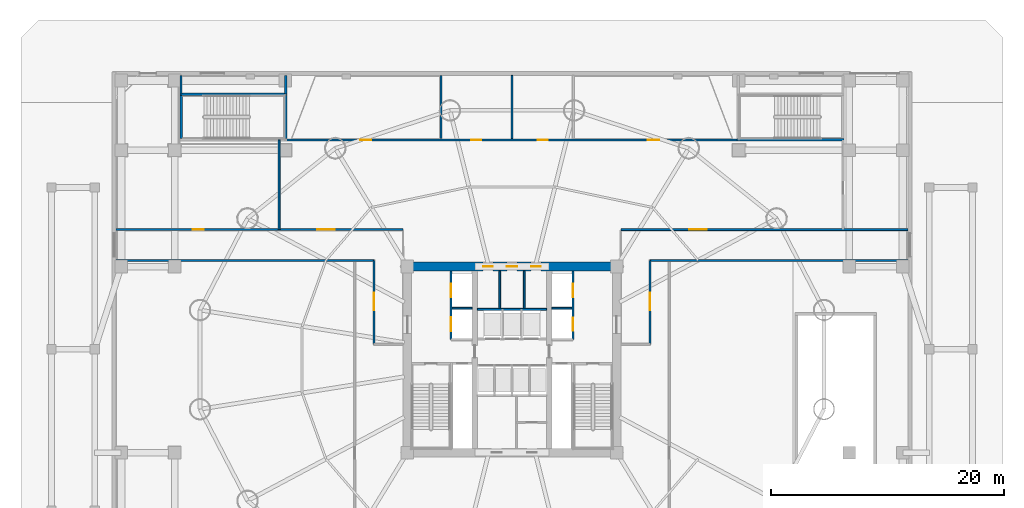
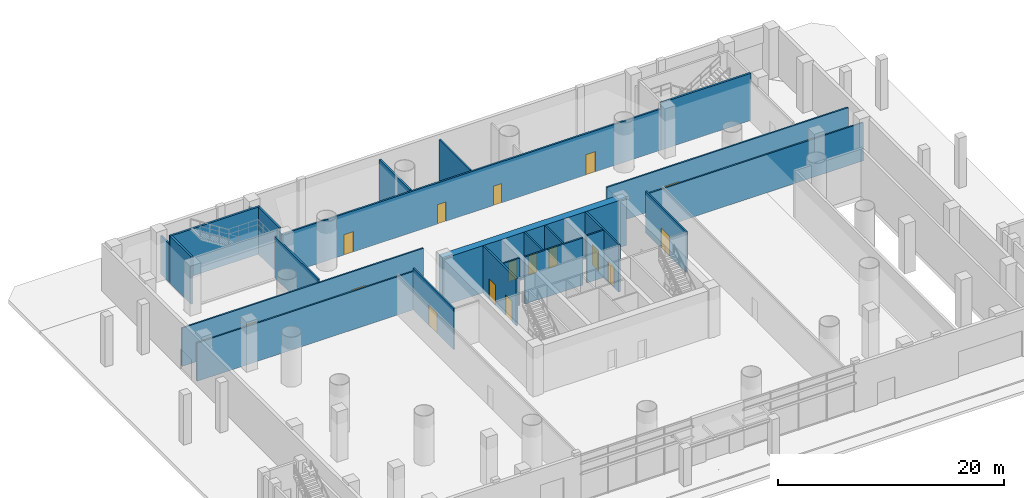
# One storey, part 11 of 25: 24 walls, 16 doors, 16 openings.
"""IFC4 building model written with IfcOpenShell, lengths in metres."""

from ifc_helpers import new_model, si_unit, direction, frame, frame_2d, origin, place, context, subcontext, project, spatial, rectangle, extrude, source, transform, mapped, material, layer, layer_set, type_object, element, fill, save


model = new_model("IFC4")

# Units and contexts
model_context = context("Model", 3, precision=1e-05, world=origin(), true_north=direction((-0.2419218956, 0.970295726276)))
body_context = subcontext(model_context, "Body", "Model", "MODEL_VIEW")
ifc_project = project(units=[si_unit("LENGTHUNIT", "METRE"), si_unit("AREAUNIT", "SQUARE_METRE"), si_unit("VOLUMEUNIT", "CUBIC_METRE"), si_unit("PLANEANGLEUNIT", "RADIAN"), si_unit("MASSUNIT", "GRAM", prefix="KILO")], contexts=[model_context])

# Site, building, storey
site_placement = place(None, origin())
site = spatial("IfcSite", under=ifc_project, at=site_placement, CompositionType="ELEMENT")
building_placement = place(site_placement, origin())
building = spatial("IfcBuilding", under=site, at=building_placement, Name="Cobrevalo Terracotta Tower", CompositionType="ELEMENT")
storey_placement = place(building_placement, origin())
storey = spatial("IfcBuildingStorey", under=building, at=storey_placement, Name="L00", CompositionType="ELEMENT", Elevation=0.0)

# Wall, openings, doors
ifc_material_1 = material(Name="Concrete C60", Category="concrete")
ifc_layer_1 = layer(ifc_material_1, 0.75)
ifc_layer_set_1 = layer_set([ifc_layer_1], Name="Concrete C60")
wall_type_1 = type_object("IfcWallType", Name="Core shear wall 750 mm Concrete C60", PredefinedType="SHEAR", material=ifc_layer_set_1)
wall_1_placement = place(storey_placement, frame((28.625, 34.800048828125, 0.0), z_axis=(0.0, 0.0, 1.0), x_axis=(1.0, 0.0, 0.0)))
wall_1 = element("IfcWall", 1, at=wall_1_placement, inside=storey, type_object=wall_type_1, Name="L00 north core shear wall", PredefinedType="SHEAR", context=body_context, shape_type="SweptSolid", body=[
    extrude(rectangle(XDim=18.75, YDim=0.75, at=frame_2d((9.375, 0.0))), origin(), (0.0, 0.0, 1.0), 5.10009765625),
])
opening_1_placement = place(wall_1_placement, frame((6.887451171875, 0.0, 0.0)))
opening_1 = element("IfcOpeningElement", 2, at=opening_1_placement, cuts=wall_1, Name="Opening ID-22", PredefinedType="OPENING", context=body_context, shape_type="SweptSolid", body=[
    extrude(rectangle(XDim=0.85009765625, YDim=2.10009765625, at=frame_2d((0.425048828125, 1.050048828125))), frame((0.0, 0.385009765625, 0.0), z_axis=(0.0, -1.0, 0.0), x_axis=(1.0, 0.0, 0.0)), (0.0, 0.0, 1.0), 0.77001953125),
])
opening_2_placement = place(wall_1_placement, frame((8.945068359375, 0.0, 0.0)))
opening_2 = element("IfcOpeningElement", 3, at=opening_2_placement, cuts=wall_1, Name="Opening ID-07", PredefinedType="OPENING", context=body_context, shape_type="SweptSolid", body=[
    extrude(rectangle(XDim=0.860107421875, YDim=2.10009765625, at=frame_2d((0.43017578125, 1.050048828125))), frame((0.0, 0.385009765625, 0.0), z_axis=(0.0, -1.0, 0.0), x_axis=(1.0, 0.0, 0.0)), (0.0, 0.0, 1.0), 0.77001953125),
])
opening_3_placement = place(wall_1_placement, frame((11.012451171875, 0.0, 0.0)))
opening_3 = element("IfcOpeningElement", 4, at=opening_3_placement, cuts=wall_1, Name="Opening ID-22", PredefinedType="OPENING", context=body_context, shape_type="SweptSolid", body=[
    extrude(rectangle(XDim=0.85009765625, YDim=2.10009765625, at=frame_2d((0.425048828125, 1.050048828125))), frame((0.0, 0.385009765625, 0.0), z_axis=(0.0, -1.0, 0.0), x_axis=(1.0, 0.0, 0.0)), (0.0, 0.0, 1.0), 0.77001953125),
])
ifc_material_2 = material(Name="Powder-coated steel", Category="steel")
door_type_1 = type_object("IfcDoorType", Name="Riser shaft & meter closet fire access door 850x2100 EI 60", OperationType="NOTDEFINED", PredefinedType="DOOR", material=ifc_material_2)
shared_shape_1 = source(origin(), body_context, "Body", "SweptSolid", [
    extrude(rectangle(XDim=0.85009765625, YDim=2.10009765625, at=frame_2d((0.425048828125, 1.050048828125))), frame((0.0, 0.02490234375, 0.0), z_axis=(0.0, -1.0, 0.0), x_axis=(1.0, 0.0, 0.0)), (0.0, 0.0, 1.0), 0.050048828125),
])
door_1_placement = place(opening_1_placement, frame((0.85009765625, 0.0, 0.0), z_axis=(0.0, 0.0, 1.0), x_axis=(-1.0, 0.0, 0.0)))
door_1 = element("IfcDoor", 5, at=door_1_placement, inside=storey, type_object=door_type_1, Name="L00 core north service door Housekeeping Linen Store", OperationType="SINGLE_SWING_LEFT", OverallHeight=2.10009765625, OverallWidth=0.85009765625, PredefinedType="DOOR", context=body_context, shape_type="MappedRepresentation", body=[
    mapped(shared_shape_1, transform((0.0, 0.0, 0.0), scale=1.0)),
])
fill(opening_1, door_1)
door_2_placement = place(opening_3_placement, frame((0.85009765625, 0.0, 0.0), z_axis=(0.0, 0.0, 1.0), x_axis=(-1.0, 0.0, 0.0)))
door_2 = element("IfcDoor", 6, at=door_2_placement, inside=storey, type_object=door_type_1, Name="L00 core north service door Floor BMS Mechanical Plant", OperationType="SINGLE_SWING_LEFT", OverallHeight=2.10009765625, OverallWidth=0.85009765625, PredefinedType="DOOR", context=body_context, shape_type="MappedRepresentation", body=[
    mapped(shared_shape_1, transform((0.0, 0.0, 0.0), scale=1.0)),
])
fill(opening_3, door_2)
ifc_material_3 = material(Name="Fire-rated moisture-sealed timber", Category="wood")
door_type_2 = type_object("IfcDoorType", Name="Core & podium fire-rated accessible WC door 860x2100 EI 60", OperationType="NOTDEFINED", PredefinedType="DOOR", material=ifc_material_3)
shared_shape_2 = source(origin(), body_context, "Body", "SweptSolid", [
    extrude(rectangle(XDim=0.860107421875, YDim=2.10009765625, at=frame_2d((0.43017578125, 1.050048828125))), frame((0.0, 0.02490234375, 0.0), z_axis=(0.0, -1.0, 0.0), x_axis=(1.0, 0.0, 0.0)), (0.0, 0.0, 1.0), 0.050048828125),
])
door_3_placement = place(opening_2_placement, frame((0.860107421875, 0.0, 0.0), z_axis=(0.0, 0.0, 1.0), x_axis=(-1.0, 0.0, 0.0)))
door_3 = element("IfcDoor", 7, at=door_3_placement, inside=storey, type_object=door_type_2, Name="L00 core north service door Floor Service Toilet WC", OperationType="SINGLE_SWING_RIGHT", OverallHeight=2.10009765625, OverallWidth=0.860107421875, PredefinedType="DOOR", context=body_context, shape_type="MappedRepresentation", body=[
    mapped(shared_shape_2, transform((0.0, 0.0, 0.0), scale=1.0)),
])
fill(opening_2, door_3)

# Walls
ifc_material_4 = material(Name="Gypsum board on steel stud", Category="steel")
ifc_layer_2 = layer(ifc_material_4, 0.159912109375)
ifc_layer_set_2 = layer_set([ifc_layer_2], Name="Gypsum board on steel stud")
wall_type_2 = type_object("IfcWallType", Name="Fire-rated corridor acoustic partition wall 160 mm", PredefinedType="PARTITIONING", material=ifc_layer_set_2)
for number, where, z_axis, x_axis, name in (
    (8, (32.860107421875, 31.219970703125, 0.0), (0.0, 0.0, 1.0), (1.0, 0.0, 0.0), "L00 interior partition IW-L00-FF1-M"),
    (9, (41.425048828125, 31.219970703125, 0.0), (0.0, 0.0, 1.0), (1.0, 0.0, 0.0), "L00 interior partition IW-L00-FF2-M"),
):
    element("IfcWall", number, at=place(storey_placement, frame(where, z_axis=z_axis, x_axis=x_axis)), inside=storey, type_object=wall_type_2, Name=name, PredefinedType="PARTITIONING", context=body_context, shape_type="SweptSolid", body=[
        extrude(rectangle(XDim=1.71484375, YDim=0.159912109375, at=frame_2d((0.857421875, 0.0))), origin(), (0.0, 0.0, 1.0), 5.10009765625),
    ])
wall_2_placement = place(storey_placement, frame((35.02490234375, 31.1201171875, 0.0), z_axis=(0.0, 0.0, 1.0), x_axis=(1.0, 0.0, 0.0)))
element("IfcWall", 10, at=wall_2_placement, inside=storey, type_object=wall_type_2, Name="L00 interior partition IW-L00-LB-N", PredefinedType="PARTITIONING", context=body_context, shape_type="SweptSolid", body=[
    extrude(rectangle(XDim=5.9501953125, YDim=0.159912109375, at=frame_2d((2.97509765625, 0.0))), origin(), (0.0, 0.0, 1.0), 5.10009765625),
])
wall_3_placement = place(storey_placement, frame((3.9599609375, 35.320068359375, 0.0), z_axis=(0.0, 0.0, 1.0), x_axis=(1.0, 0.0, 0.0)))
element("IfcWall", 11, at=wall_3_placement, inside=storey, type_object=wall_type_2, Name="L00 interior partition IW-L00-EPW-S", PredefinedType="PARTITIONING", context=body_context, shape_type="SweptSolid", body=[
    extrude(rectangle(XDim=22.16015625, YDim=0.159912109375, at=frame_2d((11.080078125, 0.0))), origin(), (0.0, 0.0, 1.0), 4.135009765625),
])

# Wall, opening, door
wall_4_placement = place(storey_placement, frame((26.1201171875, 28.1201171875, 0.0), z_axis=(0.0, 0.0, 1.0), x_axis=(0.0, 1.0, 0.0)))
wall_4 = element("IfcWall", 12, at=wall_4_placement, inside=storey, type_object=wall_type_2, Name="L00 interior partition IW-L00-EPW-W", PredefinedType="PARTITIONING", context=body_context, shape_type="SweptSolid", body=[
    extrude(rectangle(XDim=7.199951171875, YDim=0.159912109375, at=frame_2d((3.60009765625, 0.0))), origin(), (0.0, 0.0, 1.0), 4.449951171875),
])
opening_4_placement = place(wall_4_placement, frame((2.929931640625, 0.0, 0.0)))
opening_4 = element("IfcOpeningElement", 13, at=opening_4_placement, cuts=wall_4, Name="Opening ID-14", PredefinedType="OPENING", context=body_context, shape_type="SweptSolid", body=[
    extrude(rectangle(XDim=1.5, YDim=2.199951171875, at=frame_2d((0.75, 1.10009765625))), frame((0.0, 0.08984375, 0.0), z_axis=(0.0, -1.0, 0.0), x_axis=(1.0, 0.0, 0.0)), (0.0, 0.0, 1.0), 0.179931640625),
])
ifc_material_5 = material(Name="Galvanized fire-rated steel", Category="steel")
door_type_3 = type_object("IfcDoorType", Name="Core cross-lobby double fire door 1500x2200 EI 90", OperationType="NOTDEFINED", PredefinedType="DOOR", material=ifc_material_5)
shared_shape_3 = source(origin(), body_context, "Body", "SweptSolid", [
    extrude(rectangle(XDim=1.5, YDim=2.199951171875, at=frame_2d((0.75, 1.10009765625))), frame((0.0, 0.02490234375, 0.0), z_axis=(0.0, -1.0, 0.0), x_axis=(1.0, 0.0, 0.0)), (0.0, 0.0, 1.0), 0.050048828125),
])
door_4_placement = place(opening_4_placement, frame((1.5, 0.0, 0.0), z_axis=(0.0, 0.0, 1.0), x_axis=(-1.0, 0.0, 0.0)))
door_4 = element("IfcDoor", 14, at=door_4_placement, inside=storey, type_object=door_type_3, Name="L00 west protected exit passage concourse fire door", OperationType="DOUBLE_DOOR_SINGLE_SWING", OverallHeight=2.199951171875, OverallWidth=1.5, PredefinedType="DOOR", context=body_context, shape_type="MappedRepresentation", body=[
    mapped(shared_shape_3, transform((0.0, 0.0, 0.0), scale=1.0)),
])
fill(opening_4, door_4)

# Wall, openings, doors
wall_5_placement = place(storey_placement, frame((3.9599609375, 37.97998046875, 0.0), z_axis=(0.0, 0.0, 1.0), x_axis=(1.0, 0.0, 0.0)))
wall_5 = element("IfcWall", 15, at=wall_5_placement, inside=storey, type_object=wall_type_2, Name="L00 interior partition IW-L00-EPW-N", PredefinedType="PARTITIONING", context=body_context, shape_type="SweptSolid", body=[
    extrude(rectangle(XDim=24.6650390625, YDim=0.159912109375, at=frame_2d((12.33251953125, 0.0))), origin(), (0.0, 0.0, 1.0), 4.135009765625),
])
opening_5_placement = place(wall_5_placement, frame((17.2900390625, 0.0, 0.0)))
opening_5 = element("IfcOpeningElement", 16, at=opening_5_placement, cuts=wall_5, Name="Opening ID-14", PredefinedType="OPENING", context=body_context, shape_type="SweptSolid", body=[
    extrude(rectangle(XDim=1.5, YDim=2.199951171875, at=frame_2d((0.75, 1.10009765625))), frame((0.0, 0.08984375, 0.0), z_axis=(0.0, -1.0, 0.0), x_axis=(1.0, 0.0, 0.0)), (0.0, 0.0, 1.0), 0.179931640625),
])
opening_6_placement = place(wall_5_placement, frame((6.57373046875, 0.0, 0.0)))
opening_6 = element("IfcOpeningElement", 17, at=opening_6_placement, cuts=wall_5, Name="Opening ID-05", PredefinedType="OPENING", context=body_context, shape_type="SweptSolid", body=[
    extrude(rectangle(XDim=0.97998046875, YDim=2.199951171875, at=frame_2d((0.489990234375, 1.10009765625))), frame((0.0, 0.08984375, 0.0), z_axis=(0.0, -1.0, 0.0), x_axis=(1.0, 0.0, 0.0)), (0.0, 0.0, 1.0), 0.179931640625),
])
door_5_placement = place(opening_5_placement, origin())
door_5 = element("IfcDoor", 18, at=door_5_placement, inside=storey, type_object=door_type_3, Name="L00 north concourse west exit passage fire door", OperationType="DOUBLE_DOOR_SINGLE_SWING", OverallHeight=2.199951171875, OverallWidth=1.5, PredefinedType="DOOR", context=body_context, shape_type="MappedRepresentation", body=[
    mapped(shared_shape_3, transform((0.0, 0.0, 0.0), scale=1.0)),
])
fill(opening_5, door_5)
ifc_material_6 = material(Name="Solid hardwood timber", Category="wood")
door_type_4 = type_object("IfcDoorType", Name="Residence entrance fire-rated acoustic timber door 980x2200 EI 60", OperationType="NOTDEFINED", PredefinedType="DOOR", material=ifc_material_6)
shared_shape_4 = source(origin(), body_context, "Body", "SweptSolid", [
    extrude(rectangle(XDim=0.97998046875, YDim=2.199951171875, at=frame_2d((0.489990234375, 1.10009765625))), frame((0.0, 0.02490234375, 0.0), z_axis=(0.0, -1.0, 0.0), x_axis=(1.0, 0.0, 0.0)), (0.0, 0.0, 1.0), 0.050048828125),
])
door_6_placement = place(opening_6_placement, frame((0.97998046875, 0.0, 0.0), z_axis=(0.0, 0.0, 1.0), x_axis=(-1.0, 0.0, 0.0)))
door_6 = element("IfcDoor", 19, at=door_6_placement, inside=storey, type_object=door_type_4, Name="North-West Florist Salon door", OperationType="SINGLE_SWING_LEFT", OverallHeight=2.199951171875, OverallWidth=0.97998046875, PredefinedType="DOOR", context=body_context, shape_type="MappedRepresentation", body=[
    mapped(shared_shape_4, transform((0.0, 0.0, 0.0), scale=1.0)),
])
fill(opening_6, door_6)

# Wall
wall_6_placement = place(storey_placement, frame((49.8798828125, 35.320068359375, 0.0), z_axis=(0.0, 0.0, 1.0), x_axis=(1.0, 0.0, 0.0)))
element("IfcWall", 20, at=wall_6_placement, inside=storey, type_object=wall_type_2, Name="L00 interior partition IW-L00-EPE-S", PredefinedType="PARTITIONING", context=body_context, shape_type="SweptSolid", body=[
    extrude(rectangle(XDim=22.16015625, YDim=0.159912109375, at=frame_2d((11.080078125, 0.0))), origin(), (0.0, 0.0, 1.0), 4.135009765625),
])

# Wall, opening, door
wall_7_placement = place(storey_placement, frame((49.8798828125, 28.1201171875, 0.0), z_axis=(0.0, 0.0, 1.0), x_axis=(0.0, 1.0, 0.0)))
wall_7 = element("IfcWall", 21, at=wall_7_placement, inside=storey, type_object=wall_type_2, Name="L00 interior partition IW-L00-EPE-E", PredefinedType="PARTITIONING", context=body_context, shape_type="SweptSolid", body=[
    extrude(rectangle(XDim=7.199951171875, YDim=0.159912109375, at=frame_2d((3.60009765625, 0.0))), origin(), (0.0, 0.0, 1.0), 4.449951171875),
])
opening_7_placement = place(wall_7_placement, frame((2.929931640625, 0.0, 0.0)))
opening_7 = element("IfcOpeningElement", 22, at=opening_7_placement, cuts=wall_7, Name="Opening ID-14", PredefinedType="OPENING", context=body_context, shape_type="SweptSolid", body=[
    extrude(rectangle(XDim=1.5, YDim=2.199951171875, at=frame_2d((0.75, 1.10009765625))), frame((0.0, 0.08984375, 0.0), z_axis=(0.0, -1.0, 0.0), x_axis=(1.0, 0.0, 0.0)), (0.0, 0.0, 1.0), 0.179931640625),
])
door_7_placement = place(opening_7_placement, origin())
door_7 = element("IfcDoor", 23, at=door_7_placement, inside=storey, type_object=door_type_3, Name="L00 east protected exit passage concourse fire door", OperationType="DOUBLE_DOOR_SINGLE_SWING", OverallHeight=2.199951171875, OverallWidth=1.5, PredefinedType="DOOR", context=body_context, shape_type="MappedRepresentation", body=[
    mapped(shared_shape_3, transform((0.0, 0.0, 0.0), scale=1.0)),
])
fill(opening_7, door_7)

wall_8_placement = place(storey_placement, frame((47.375, 37.97998046875, 0.0), z_axis=(0.0, 0.0, 1.0), x_axis=(1.0, 0.0, 0.0)))
wall_8 = element("IfcWall", 24, at=wall_8_placement, inside=storey, type_object=wall_type_2, Name="L00 interior partition IW-L00-EPE-N", PredefinedType="PARTITIONING", context=body_context, shape_type="SweptSolid", body=[
    extrude(rectangle(XDim=24.6650390625, YDim=0.159912109375, at=frame_2d((12.33251953125, 0.0))), origin(), (0.0, 0.0, 1.0), 4.135009765625),
])
opening_8_placement = place(wall_8_placement, frame((5.875, 0.0, 0.0)))
opening_8 = element("IfcOpeningElement", 25, at=opening_8_placement, cuts=wall_8, Name="Opening ID-14", PredefinedType="OPENING", context=body_context, shape_type="SweptSolid", body=[
    extrude(rectangle(XDim=1.5, YDim=2.199951171875, at=frame_2d((0.75, 1.10009765625))), frame((0.0, 0.08984375, 0.0), z_axis=(0.0, -1.0, 0.0), x_axis=(1.0, 0.0, 0.0)), (0.0, 0.0, 1.0), 0.179931640625),
])
door_8_placement = place(opening_8_placement, origin())
door_8 = element("IfcDoor", 26, at=door_8_placement, inside=storey, type_object=door_type_3, Name="L00 north concourse east exit passage fire door", OperationType="DOUBLE_DOOR_SINGLE_SWING", OverallHeight=2.199951171875, OverallWidth=1.5, PredefinedType="DOOR", context=body_context, shape_type="MappedRepresentation", body=[
    mapped(shared_shape_3, transform((0.0, 0.0, 0.0), scale=1.0)),
])
fill(opening_8, door_8)

# Walls
wall_9_placement = place(storey_placement, frame((38.0, 45.7919921875, 0.0), z_axis=(0.0, 0.0, 1.0), x_axis=(0.0, 1.0, 0.0)))
element("IfcWall", 27, at=wall_9_placement, inside=storey, type_object=wall_type_2, Name="L00 interior partition IW-L00-WC-M", PredefinedType="PARTITIONING", context=body_context, shape_type="SweptSolid", body=[
    extrude(rectangle(XDim=5.447998046875, YDim=0.159912109375, at=frame_2d((2.72412109375, 0.0))), origin(), (0.0, 0.0, 1.0), 4.5419921875),
])
wall_10_placement = place(storey_placement, frame((17.97998046875, 37.97998046875, 0.0), z_axis=(0.0, 0.0, 1.0), x_axis=(0.0, 1.0, 0.0)))
element("IfcWall", 28, at=wall_10_placement, inside=storey, type_object=wall_type_2, Name="L00 interior partition IW-L00-RNW-E", PredefinedType="PARTITIONING", context=body_context, shape_type="SweptSolid", body=[
    extrude(rectangle(XDim=7.719970703125, YDim=0.159912109375, at=frame_2d((3.85986328125, 0.0))), origin(), (0.0, 0.0, 1.0), 4.468994140625),
])

# Wall, openings, doors
ifc_layer_3 = layer(ifc_material_4, 0.179931640625)
ifc_layer_set_3 = layer_set([ifc_layer_3], Name="Gypsum board on steel stud")
wall_type_3 = type_object("IfcWallType", Name="Fire-rated shaft & lobby acoustic partition wall 180 mm", PredefinedType="PARTITIONING", material=ifc_layer_set_3)
wall_11_placement = place(storey_placement, frame((32.77001953125, 28.52001953125, 0.0), z_axis=(0.0, 0.0, 1.0), x_axis=(0.0, 1.0, 0.0)))
wall_11 = element("IfcWall", 29, at=wall_11_placement, inside=storey, type_object=wall_type_3, Name="L00 interior partition IW-L00-FF1-W", PredefinedType="PARTITIONING", context=body_context, shape_type="SweptSolid", body=[
    extrude(rectangle(XDim=5.905029296875, YDim=0.179931640625, at=frame_2d((2.95263671875, 0.0))), origin(), (0.0, 0.0, 1.0), 5.10009765625),
])
opening_9_placement = place(wall_11_placement, frame((3.655029296875, 0.0, 0.0)))
opening_9 = element("IfcOpeningElement", 30, at=opening_9_placement, cuts=wall_11, Name="Opening LD-02", PredefinedType="OPENING", context=body_context, shape_type="SweptSolid", body=[
    extrude(rectangle(XDim=1.14990234375, YDim=2.199951171875, at=frame_2d((0.574951171875, 1.10009765625))), frame((0.0, 0.10009765625, 0.0), z_axis=(0.0, -1.0, 0.0), x_axis=(1.0, 0.0, 0.0)), (0.0, 0.0, 1.0), 0.199951171875),
])
opening_10_placement = place(wall_11_placement, frame((0.72998046875, 0.0, 0.0)))
opening_10 = element("IfcOpeningElement", 31, at=opening_10_placement, cuts=wall_11, Name="Opening LD-03", PredefinedType="OPENING", context=body_context, shape_type="SweptSolid", body=[
    extrude(rectangle(XDim=1.199951171875, YDim=2.25, at=frame_2d((0.60009765625, 1.125))), frame((0.0, 0.10009765625, 0.0), z_axis=(0.0, -1.0, 0.0), x_axis=(1.0, 0.0, 0.0)), (0.0, 0.0, 1.0), 0.199951171875),
])
ifc_material_7 = material(Name="Brushed stainless steel", Category="steel")
door_type_5 = type_object("IfcDoorType", Name="Firefighting lift landing bi-parting sliding door 1150x2200 EI 120", OperationType="DOUBLE_DOOR_SLIDING", PredefinedType="DOOR", material=ifc_material_7)
shared_shape_5 = source(origin(), body_context, "Body", "SweptSolid", [
    extrude(rectangle(XDim=1.14990234375, YDim=2.199951171875, at=frame_2d((0.574951171875, 1.10009765625))), frame((0.0, 0.02490234375, 0.0), z_axis=(0.0, -1.0, 0.0), x_axis=(1.0, 0.0, 0.0)), (0.0, 0.0, 1.0), 0.050048828125),
])
door_9_placement = place(opening_9_placement, origin())
door_9 = element("IfcDoor", 32, at=door_9_placement, inside=storey, type_object=door_type_5, Name="L00 lift landing door FF-1", OperationType="DOUBLE_DOOR_SLIDING", OverallHeight=2.199951171875, OverallWidth=1.14990234375, PredefinedType="DOOR", context=body_context, shape_type="MappedRepresentation", body=[
    mapped(shared_shape_5, transform((0.0, 0.0, 0.0), scale=1.0)),
])
fill(opening_9, door_9)
door_type_6 = type_object("IfcDoorType", Name="Service lift landing bi-parting sliding door 1200x2250 EI 120", OperationType="DOUBLE_DOOR_SLIDING", PredefinedType="DOOR", material=ifc_material_7)
shared_shape_6 = source(origin(), body_context, "Body", "SweptSolid", [
    extrude(rectangle(XDim=1.199951171875, YDim=2.25, at=frame_2d((0.60009765625, 1.125))), frame((0.0, 0.02490234375, 0.0), z_axis=(0.0, -1.0, 0.0), x_axis=(1.0, 0.0, 0.0)), (0.0, 0.0, 1.0), 0.050048828125),
])
door_10_placement = place(opening_10_placement, origin())
door_10 = element("IfcDoor", 33, at=door_10_placement, inside=storey, type_object=door_type_6, Name="L00 lift landing door SV-1", OperationType="DOUBLE_DOOR_SLIDING", OverallHeight=2.25, OverallWidth=1.199951171875, PredefinedType="DOOR", context=body_context, shape_type="MappedRepresentation", body=[
    mapped(shared_shape_6, transform((0.0, 0.0, 0.0), scale=1.0)),
])
fill(opening_10, door_10)

wall_12_placement = place(storey_placement, frame((43.22998046875, 28.52001953125, 0.0), z_axis=(0.0, 0.0, 1.0), x_axis=(0.0, 1.0, 0.0)))
wall_12 = element("IfcWall", 34, at=wall_12_placement, inside=storey, type_object=wall_type_3, Name="L00 interior partition IW-L00-FF2-E", PredefinedType="PARTITIONING", context=body_context, shape_type="SweptSolid", body=[
    extrude(rectangle(XDim=5.905029296875, YDim=0.179931640625, at=frame_2d((2.95263671875, 0.0))), origin(), (0.0, 0.0, 1.0), 5.10009765625),
])
opening_11_placement = place(wall_12_placement, frame((3.655029296875, 0.0, 0.0)))
opening_11 = element("IfcOpeningElement", 35, at=opening_11_placement, cuts=wall_12, Name="Opening LD-02", PredefinedType="OPENING", context=body_context, shape_type="SweptSolid", body=[
    extrude(rectangle(XDim=1.14990234375, YDim=2.199951171875, at=frame_2d((0.574951171875, 1.10009765625))), frame((0.0, 0.10009765625, 0.0), z_axis=(0.0, -1.0, 0.0), x_axis=(1.0, 0.0, 0.0)), (0.0, 0.0, 1.0), 0.199951171875),
])
opening_12_placement = place(wall_12_placement, frame((0.780029296875, 0.0, 0.0)))
opening_12 = element("IfcOpeningElement", 36, at=opening_12_placement, cuts=wall_12, Name="Opening LD-01", PredefinedType="OPENING", context=body_context, shape_type="SweptSolid", body=[
    extrude(rectangle(XDim=1.10009765625, YDim=2.199951171875, at=frame_2d((0.550048828125, 1.10009765625))), frame((0.0, 0.10009765625, 0.0), z_axis=(0.0, -1.0, 0.0), x_axis=(1.0, 0.0, 0.0)), (0.0, 0.0, 1.0), 0.199951171875),
])
door_11_placement = place(opening_11_placement, origin())
door_11 = element("IfcDoor", 37, at=door_11_placement, inside=storey, type_object=door_type_5, Name="L00 lift landing door FF-2", OperationType="DOUBLE_DOOR_SLIDING", OverallHeight=2.199951171875, OverallWidth=1.14990234375, PredefinedType="DOOR", context=body_context, shape_type="MappedRepresentation", body=[
    mapped(shared_shape_5, transform((0.0, 0.0, 0.0), scale=1.0)),
])
fill(opening_11, door_11)
door_type_7 = type_object("IfcDoorType", Name="Passenger lift landing bi-parting sliding door 1100x2200 EI 90", OperationType="DOUBLE_DOOR_SLIDING", PredefinedType="DOOR", material=ifc_material_7)
shared_shape_7 = source(origin(), body_context, "Body", "SweptSolid", [
    extrude(rectangle(XDim=1.10009765625, YDim=2.199951171875, at=frame_2d((0.550048828125, 1.10009765625))), frame((0.0, 0.02490234375, 0.0), z_axis=(0.0, -1.0, 0.0), x_axis=(1.0, 0.0, 0.0)), (0.0, 0.0, 1.0), 0.050048828125),
])
door_12_placement = place(opening_12_placement, origin())
door_12 = element("IfcDoor", 38, at=door_12_placement, inside=storey, type_object=door_type_7, Name="L00 lift landing door PL-P1", OperationType="DOUBLE_DOOR_SLIDING", OverallHeight=2.199951171875, OverallWidth=1.10009765625, PredefinedType="DOOR", context=body_context, shape_type="MappedRepresentation", body=[
    mapped(shared_shape_7, transform((0.0, 0.0, 0.0), scale=1.0)),
])
fill(opening_12, door_12)

# Walls
for number, where, z_axis, x_axis, name in (
    (39, (9.550048828125, 49.6201171875, 0.0), (0.0, 0.0, 1.0), (0.0, 1.0, 0.0), "L00 interior partition IW-L00-EXPNW-W"),
    (40, (18.550048828125, 49.6201171875, 0.0), (0.0, 0.0, 1.0), (0.0, 1.0, 0.0), "L00 interior partition IW-L00-EXPNW-E"),
):
    element("IfcWall", number, at=place(storey_placement, frame(where, z_axis=z_axis, x_axis=x_axis)), inside=storey, type_object=wall_type_3, Name=name, PredefinedType="PARTITIONING", context=body_context, shape_type="SweptSolid", body=[
        extrude(rectangle(XDim=1.619873046875, YDim=0.179931640625, at=frame_2d((0.81005859375, 0.0))), origin(), (0.0, 0.0, 1.0), 4.135009765625),
    ])

# Wall, openings, doors
wall_13_placement = place(storey_placement, frame((18.550048828125, 45.699951171875, 0.0), z_axis=(0.0, 0.0, 1.0), x_axis=(1.0, 0.0, 0.0)))
wall_13 = element("IfcWall", 41, at=wall_13_placement, inside=storey, type_object=wall_type_3, Name="L00 interior partition IW-L00-NB-S", PredefinedType="PARTITIONING", context=body_context, shape_type="SweptSolid", body=[
    extrude(rectangle(XDim=38.89990234375, YDim=0.179931640625, at=frame_2d((19.449951171875, 0.0))), origin(), (0.0, 0.0, 1.0), 4.449951171875),
])
opening_13_placement = place(wall_13_placement, frame((6.385009765625, 0.0, 0.0)))
opening_13 = element("IfcOpeningElement", 42, at=opening_13_placement, cuts=wall_13, Name="Opening ID-05", PredefinedType="OPENING", context=body_context, shape_type="SweptSolid", body=[
    extrude(rectangle(XDim=0.97998046875, YDim=2.199951171875, at=frame_2d((0.489990234375, 1.10009765625))), frame((0.0, 0.10009765625, 0.0), z_axis=(0.0, -1.0, 0.0), x_axis=(1.0, 0.0, 0.0)), (0.0, 0.0, 1.0), 0.199951171875),
])
opening_14_placement = place(wall_13_placement, frame((15.9599609375, 0.0, 0.0)))
opening_14 = element("IfcOpeningElement", 43, at=opening_14_placement, cuts=wall_13, Name="Opening ID-07", PredefinedType="OPENING", context=body_context, shape_type="SweptSolid", body=[
    extrude(rectangle(XDim=0.860107421875, YDim=2.10009765625, at=frame_2d((0.43017578125, 1.050048828125))), frame((0.0, 0.10009765625, 0.0), z_axis=(0.0, -1.0, 0.0), x_axis=(1.0, 0.0, 0.0)), (0.0, 0.0, 1.0), 0.199951171875),
])
opening_15_placement = place(wall_13_placement, frame((21.659912109375, 0.0, 0.0)))
opening_15 = element("IfcOpeningElement", 44, at=opening_15_placement, cuts=wall_13, Name="Opening ID-07", PredefinedType="OPENING", context=body_context, shape_type="SweptSolid", body=[
    extrude(rectangle(XDim=0.860107421875, YDim=2.10009765625, at=frame_2d((0.43017578125, 1.050048828125))), frame((0.0, 0.10009765625, 0.0), z_axis=(0.0, -1.0, 0.0), x_axis=(1.0, 0.0, 0.0)), (0.0, 0.0, 1.0), 0.199951171875),
])
opening_16_placement = place(wall_13_placement, frame((31.114990234375, 0.0, 0.0)))
opening_16 = element("IfcOpeningElement", 45, at=opening_16_placement, cuts=wall_13, Name="Opening ID-05", PredefinedType="OPENING", context=body_context, shape_type="SweptSolid", body=[
    extrude(rectangle(XDim=0.97998046875, YDim=2.199951171875, at=frame_2d((0.489990234375, 1.10009765625))), frame((0.0, 0.10009765625, 0.0), z_axis=(0.0, -1.0, 0.0), x_axis=(1.0, 0.0, 0.0)), (0.0, 0.0, 1.0), 0.199951171875),
])
door_13_placement = place(opening_14_placement, frame((0.860107421875, 0.0, 0.0), z_axis=(0.0, 0.0, 1.0), x_axis=(-1.0, 0.0, 0.0)))
door_13 = element("IfcDoor", 46, at=door_13_placement, inside=storey, type_object=door_type_2, Name="Public Restrooms door", OperationType="SINGLE_SWING_RIGHT", OverallHeight=2.10009765625, OverallWidth=0.860107421875, PredefinedType="DOOR", context=body_context, shape_type="MappedRepresentation", body=[
    mapped(shared_shape_2, transform((0.0, 0.0, 0.0), scale=1.0)),
])
fill(opening_14, door_13)
door_14_placement = place(opening_15_placement, frame((0.860107421875, 0.0, 0.0), z_axis=(0.0, 0.0, 1.0), x_axis=(-1.0, 0.0, 0.0)))
door_14 = element("IfcDoor", 47, at=door_14_placement, inside=storey, type_object=door_type_2, Name="Accessible Restroom WC door", OperationType="SINGLE_SWING_LEFT", OverallHeight=2.10009765625, OverallWidth=0.860107421875, PredefinedType="DOOR", context=body_context, shape_type="MappedRepresentation", body=[
    mapped(shared_shape_2, transform((0.0, 0.0, 0.0), scale=1.0)),
])
fill(opening_15, door_14)
door_15_placement = place(opening_13_placement, frame((0.97998046875, 0.0, 0.0), z_axis=(0.0, 0.0, 1.0), x_axis=(-1.0, 0.0, 0.0)))
door_15 = element("IfcDoor", 48, at=door_15_placement, inside=storey, type_object=door_type_4, Name="Fire Command Centre door", OperationType="SINGLE_SWING_LEFT", OverallHeight=2.199951171875, OverallWidth=0.97998046875, PredefinedType="DOOR", context=body_context, shape_type="MappedRepresentation", body=[
    mapped(shared_shape_4, transform((0.0, 0.0, 0.0), scale=1.0)),
])
fill(opening_13, door_15)
door_16_placement = place(opening_16_placement, frame((0.97998046875, 0.0, 0.0), z_axis=(0.0, 0.0, 1.0), x_axis=(-1.0, 0.0, 0.0)))
door_16 = element("IfcDoor", 49, at=door_16_placement, inside=storey, type_object=door_type_4, Name="Concierge Mail and Parcel Suite door", OperationType="SINGLE_SWING_RIGHT", OverallHeight=2.199951171875, OverallWidth=0.97998046875, PredefinedType="DOOR", context=body_context, shape_type="MappedRepresentation", body=[
    mapped(shared_shape_4, transform((0.0, 0.0, 0.0), scale=1.0)),
])
fill(opening_16, door_16)

# Walls
wall_14_placement = place(storey_placement, frame((31.8798828125, 45.7919921875, 0.0), z_axis=(0.0, 0.0, 1.0), x_axis=(0.0, 1.0, 0.0)))
element("IfcWall", 50, at=wall_14_placement, inside=storey, type_object=wall_type_3, Name="L00 interior partition IW-L00-FCR-E", PredefinedType="PARTITIONING", context=body_context, shape_type="SweptSolid", body=[
    extrude(rectangle(XDim=5.447998046875, YDim=0.179931640625, at=frame_2d((2.72412109375, 0.0))), origin(), (0.0, 0.0, 1.0), 4.5419921875),
])
ifc_material_8 = material(Name="Autoclaved aerated concrete block", Category="concrete")
ifc_layer_4 = layer(ifc_material_8, 0.139892578125)
ifc_layer_set_4 = layer_set([ifc_layer_4], Name="Autoclaved aerated concrete block")
wall_type_4 = type_object("IfcWallType", Name="Moisture-resistant wet-room & core service partition 140 mm", PredefinedType="PARTITIONING", material=ifc_layer_set_4)
for number, where, z_axis, x_axis, name in (
    (51, (36.949951171875, 31.199951171875, 0.0), (0.0, 0.0, 1.0), (0.0, 1.0, 0.0), "L00 interior partition IW-L00-KVN-A"),
    (52, (39.050048828125, 31.199951171875, 0.0), (0.0, 0.0, 1.0), (0.0, 1.0, 0.0), "L00 interior partition IW-L00-KVN-B"),
):
    element("IfcWall", number, at=place(storey_placement, frame(where, z_axis=z_axis, x_axis=x_axis)), inside=storey, type_object=wall_type_4, Name=name, PredefinedType="PARTITIONING", context=body_context, shape_type="SweptSolid", body=[
        extrude(rectangle(XDim=3.22509765625, YDim=0.139892578125, at=frame_2d((1.612548828125, 0.0))), origin(), (0.0, 0.0, 1.0), 5.10009765625),
    ])
ifc_material_9 = material(Name="Concrete C50", Category="concrete")
ifc_layer_5 = layer(ifc_material_9, 0.199951171875)
ifc_layer_set_5 = layer_set([ifc_layer_5], Name="Concrete C50")
wall_type_5 = type_object("IfcWallType", Name="Structural core & podium stair-shaft RC wall 200 mm Concrete C50", PredefinedType="SOLIDWALL", material=ifc_layer_set_5)
wall_15_placement = place(storey_placement, frame((9.449951171875, 49.6201171875, 0.0), z_axis=(0.0, 0.0, 1.0), x_axis=(1.0, 0.0, 0.0)))
element("IfcWall", 53, at=wall_15_placement, inside=storey, type_object=wall_type_5, Name="L00 STP1 north structural shaft wall", PredefinedType="SOLIDWALL", context=body_context, shape_type="SweptSolid", body=[
    extrude(rectangle(XDim=9.199951171875, YDim=0.199951171875, at=frame_2d((4.60009765625, 0.0))), origin(), (0.0, 0.0, 1.0), 5.10009765625),
])
for number, where, z_axis, x_axis, name in (
    (54, (9.550048828125, 45.800048828125, 0.0), (0.0, 0.0, 1.0), (0.0, 1.0, 0.0), "L00 STP1 west structural shaft wall"),
    (55, (18.550048828125, 45.800048828125, 0.0), (0.0, 0.0, 1.0), (0.0, 1.0, 0.0), "L00 STP1 east structural shaft wall"),
):
    element("IfcWall", number, at=place(storey_placement, frame(where, z_axis=z_axis, x_axis=x_axis)), inside=storey, type_object=wall_type_5, Name=name, PredefinedType="SOLIDWALL", context=body_context, shape_type="SweptSolid", body=[
        extrude(rectangle(XDim=3.719970703125, YDim=0.199951171875, at=frame_2d((1.85986328125, 0.0))), origin(), (0.0, 0.0, 1.0), 5.10009765625),
    ])
wall_16_placement = place(storey_placement, frame((57.35009765625, 45.699951171875, 0.0), z_axis=(0.0, 0.0, 1.0), x_axis=(1.0, 0.0, 0.0)))
element("IfcWall", 56, at=wall_16_placement, inside=storey, type_object=wall_type_5, Name="L00 STP2 south structural shaft wall", PredefinedType="SOLIDWALL", context=body_context, shape_type="SweptSolid", body=[
    extrude(rectangle(XDim=9.199951171875, YDim=0.199951171875, at=frame_2d((4.60009765625, 0.0))), origin(), (0.0, 0.0, 1.0), 5.10009765625),
])

save(model, "model.ifc")
